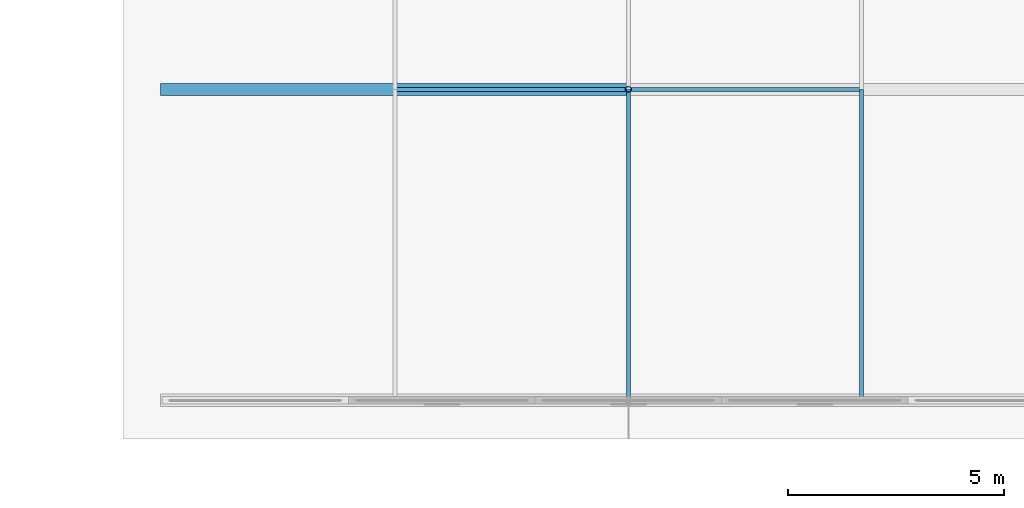
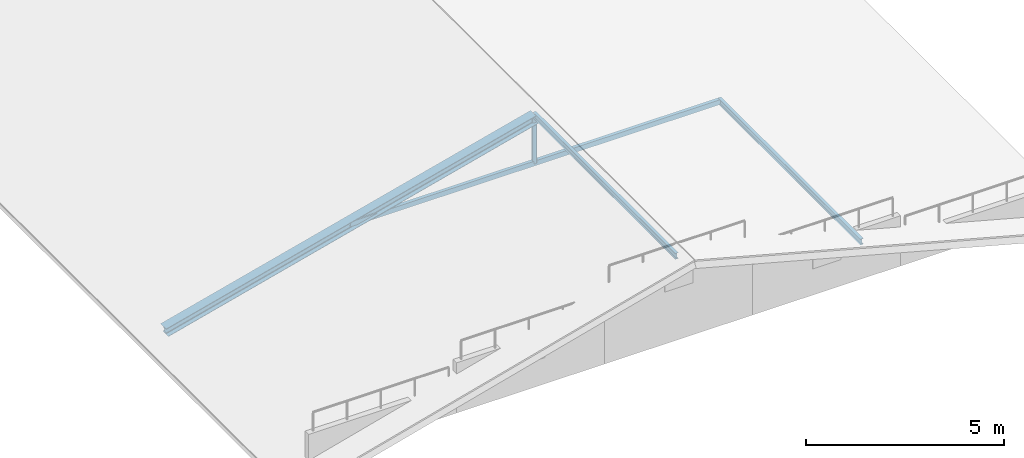
# One storey, part 10 of 40: 5 members.
"""IFC4 building model written with IfcOpenShell, lengths in metres."""

from ifc_helpers import new_model, si_unit, direction, frame, origin, origin_2d, place, context, subcontext, project, spatial, hollow_rectangle, hollow_circle, i_section, extrude, material, material_profile, profile_set, type_object, element, save


model = new_model("IFC4")

# Units and contexts
model_context = context("Model", 3, precision=1e-05, world=origin(), true_north=direction((0.0, 1.0)))
body_context = subcontext(model_context, "Body", "Model", "MODEL_VIEW")
ifc_project = project(units=[si_unit("LENGTHUNIT", "METRE"), si_unit("AREAUNIT", "SQUARE_METRE"), si_unit("VOLUMEUNIT", "CUBIC_METRE"), si_unit("PLANEANGLEUNIT", "RADIAN"), si_unit("MASSUNIT", "GRAM", prefix="KILO"), si_unit("THERMODYNAMICTEMPERATUREUNIT", "KELVIN"), si_unit("POWERUNIT", "WATT")], contexts=[model_context])

# Site, building, storey
site_placement = place(None, origin())
site = spatial("IfcSite", under=ifc_project, at=site_placement, CompositionType="ELEMENT")
building_placement = place(site_placement, origin())
building = spatial("IfcBuilding", under=site, at=building_placement, Name="Tavuni Mirador Residences", CompositionType="ELEMENT")
storey_placement = place(building_placement, frame((0.0, 0.0, 36.0)))
storey = spatial("IfcBuildingStorey", under=building, at=storey_placement, Name="L11", CompositionType="ELEMENT", Elevation=36.0)

# Members
ifc_material = material(Name="Structural steel S355", Category="steel")
ifc_material_profile_1 = material_profile(ifc_material, hollow_circle(Radius=0.06982421875, WallThickness=0.008056640625, at=origin_2d()), Name="CHS 139.7x8.0", Category="steel")
ifc_profile_set_1 = profile_set([ifc_material_profile_1], Name="Structural steel S355")
member_type_1 = type_object("IfcMemberType", Name="MT-BR-CHS139", PredefinedType="BRACE", material=ifc_profile_set_1)
member_1_placement = place(storey_placement, frame((108.0, 93.60009765625, 1.050048828125), z_axis=(0.0, 0.0, 1.0), x_axis=(1.0, 0.0, 0.0)))
element("IfcMember", 1, at=member_1_placement, inside=storey, type_object=member_type_1, Name="RKP-BLK-D-01", PredefinedType="BRACE", context=body_context, shape_type="SweptSolid", body=[
    extrude(hollow_circle(Radius=0.06982421875, WallThickness=0.008056640625, at=origin_2d()), origin(), (0.0, 0.0, 1.0), 1.39990234375),
])
ifc_material_profile_2 = material_profile(ifc_material, hollow_rectangle(XDim=0.10009765625, YDim=0.14990234375, WallThickness=0.008056640625, at=origin_2d()), Name="RHS 150x100x8.0", Category="steel")
ifc_profile_set_2 = profile_set([ifc_material_profile_2], Name="Structural steel S355")
member_type_2 = type_object("IfcMemberType", Name="MT-BR-RHS150", PredefinedType="BRACE", material=ifc_profile_set_2)
member_2_placement = place(storey_placement, frame((102.60009765625, 93.60009765625, 1.050048828125), z_axis=(1.0, 0.0, 0.0), x_axis=(0.0, 1.0, 0.0)))
element("IfcMember", 2, at=member_2_placement, inside=storey, type_object=member_type_2, Name="RTIE-BLK-D-01", PredefinedType="BRACE", context=body_context, shape_type="SweptSolid", body=[
    extrude(hollow_rectangle(XDim=0.10009765625, YDim=0.14990234375, WallThickness=0.008056640625, at=origin_2d()), origin(), (0.0, 0.0, 1.0), 10.7998046875),
])
ifc_material_profile_3 = material_profile(ifc_material, i_section(OverallWidth=0.280029296875, OverallDepth=0.27001953125, WebThickness=0.008056640625, FlangeThickness=0.012939453125, FilletRadius=0.02392578125, at=origin_2d()), Name="HEA 280", Category="steel")
ifc_profile_set_3 = profile_set([ifc_material_profile_3], Name="Structural steel S355")
member_type_3 = type_object("IfcMemberType", Name="MT-CH-HEA280", PredefinedType="CHORD", material=ifc_profile_set_3)
member_3_placement = place(storey_placement, frame((97.199951171875, 93.60009765625, -0.35009765625), z_axis=(0.967996110632, 0.0, 0.250965196393), x_axis=(0.0, 1.0, 0.0)))
element("IfcMember", 3, at=member_3_placement, inside=storey, type_object=member_type_3, Name="RAF-BLK-D-01-W", PredefinedType="CHORD", context=body_context, shape_type="SweptSolid", body=[
    extrude(i_section(OverallWidth=0.280029296875, OverallDepth=0.27001953125, WebThickness=0.008056640625, FlangeThickness=0.012939453125, FilletRadius=0.02392578125, at=origin_2d()), origin(), (0.0, 0.0, 1.0), 11.1572265625),
])
ifc_material_profile_4 = material_profile(ifc_material, i_section(OverallWidth=0.091064453125, OverallDepth=0.179931640625, WebThickness=0.00537109375, FlangeThickness=0.008056640625, FilletRadius=0.009033203125, at=origin_2d()), Name="IPE 180", Category="steel")
ifc_profile_set_4 = profile_set([ifc_material_profile_4], Name="Structural steel S355")
member_type_4 = type_object("IfcMemberType", Name="MT-PR-IPE180", PredefinedType="PURLIN", material=ifc_profile_set_4)
for number, where, z_axis, x_axis, name in (
    (4, (108.0, 86.39990234375, 2.52490234375), (0.0, 1.0, 0.0), (-1.0, 0.0, 0.0), "RPUR-BLK-D-50-00"),
    (5, (113.39990234375, 86.39990234375, 1.074951171875), (0.0, 1.0, 0.0), (-1.0, 0.0, 0.0), "RPUR-BLK-D-75-00"),
):
    element("IfcMember", number, at=place(storey_placement, frame(where, z_axis=z_axis, x_axis=x_axis)), inside=storey, type_object=member_type_4, Name=name, PredefinedType="PURLIN", context=body_context, shape_type="SweptSolid", body=[
        extrude(i_section(OverallWidth=0.091064453125, OverallDepth=0.179931640625, WebThickness=0.00537109375, FlangeThickness=0.008056640625, FilletRadius=0.009033203125, at=origin_2d()), origin(), (0.0, 0.0, 1.0), 7.2001953125),
    ])

save(model, "model.ifc")
